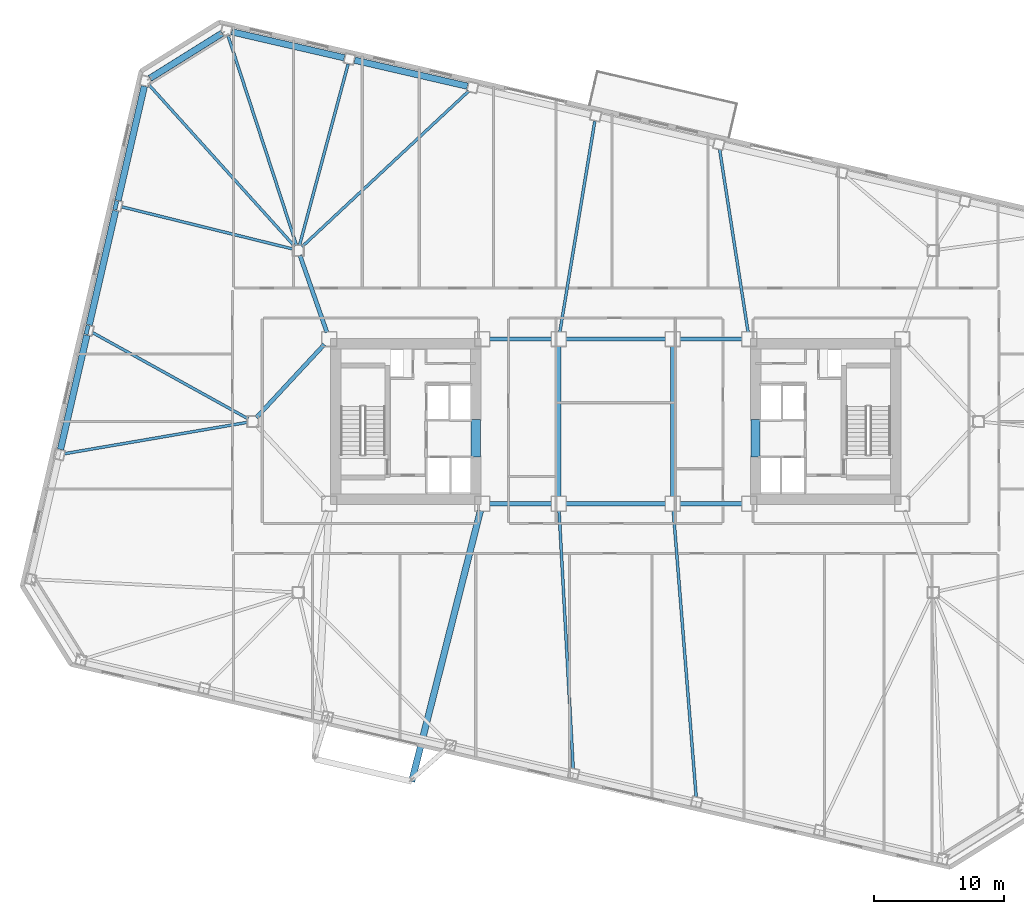
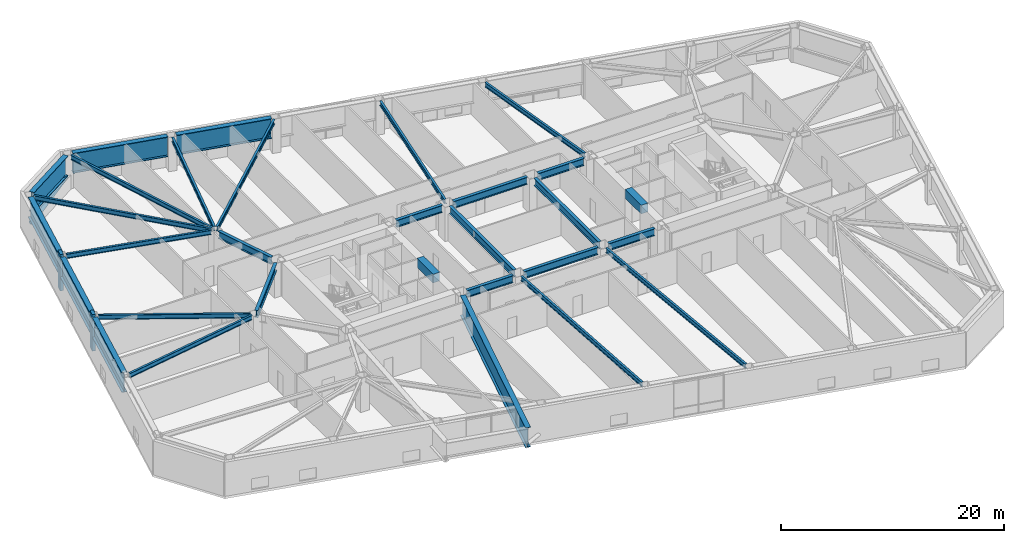
# One storey, part 5 of 20: 30 beams, 3 members.
"""IFC4 building model written with IfcOpenShell, lengths in metres."""

import ifcopenshell
import ifcopenshell.guid

model = None  # the IFC model being written
_history = None  # IfcOwnerHistory: only IFC2X3 demands one
_inside = {}  # id of a spatial element -> (the spatial element, [elements in it])
_under = {}  # id of a project, library or spatial element -> (it, [spatial elements below it])
_declared = {}  # id of a project -> (the project, [libraries it declares])
_typed = {}  # id of a type object -> (the type object, [elements of that type])
_made_of = {}  # id of a material, layer set ... -> (it, [elements and type objects made of it])


def new_model(schema):
    """Start an empty IFC model of exactly this schema.

    Asked for "IFC4X3", IfcOpenShell would pick the latest addendum, in which some entities
    have other attributes; the version numbers below select the first issue.
    IFC2X3 requires an IfcOwnerHistory on every rooted entity: one is made here for all.
    """
    global model, _history
    if schema == "IFC4X3":
        model = ifcopenshell.file(schema_version=(4, 3, 0, 0))
    else:
        model = ifcopenshell.file(schema=schema)
    _inside.clear()
    _under.clear()
    _declared.clear()
    _typed.clear()
    _made_of.clear()
    _history = None
    if model.schema == "IFC2X3":
        org = make("IfcOrganization", Name="unknown")
        user = make(
            "IfcPersonAndOrganization",
            ThePerson=make("IfcPerson", FamilyName="unknown"),
            TheOrganization=org,
        )
        app = make(
            "IfcApplication",
            ApplicationDeveloper=org,
            Version="unknown",
            ApplicationFullName="unknown",
            ApplicationIdentifier="unknown",
        )
        _history = make(
            "IfcOwnerHistory",
            OwningUser=user,
            OwningApplication=app,
            ChangeAction="ADDED",
            CreationDate=0,
        )
    return model


def make(cls, **values):
    """One entity of the class cls with the attributes given. An attribute that is None is left unset."""
    return model.create_entity(
        cls, **{name: value for name, value in values.items() if value is not None}
    )


def rooted(cls, **values):
    """An entity with a GlobalId (a new one), such as an element, a storey or a relation."""
    return make(cls, GlobalId=ifcopenshell.guid.new(), OwnerHistory=_history, **values)


def si_unit(unit_type, name, prefix=None):
    """IfcSIUnit, for example si_unit("LENGTHUNIT", "METRE", prefix="MILLI")."""
    return make("IfcSIUnit", UnitType=unit_type, Prefix=prefix, Name=name)


def assignment(units):
    """IfcUnitAssignment: the units of a project."""
    return None if units is None else make("IfcUnitAssignment", Units=units)


def point(xyz):
    """IfcCartesianPoint."""
    return None if xyz is None else make("IfcCartesianPoint", Coordinates=xyz)


def direction(xyz):
    """IfcDirection."""
    return None if xyz is None else make("IfcDirection", DirectionRatios=xyz)


def frame(location, z_axis=None, x_axis=None):
    """IfcAxis2Placement3D, a coordinate frame: its origin and axes. An axis left out is left unset."""
    return make(
        "IfcAxis2Placement3D",
        Location=point(location),
        Axis=direction(z_axis),
        RefDirection=direction(x_axis),
    )


def frame_2d(location, x_axis=None):
    """IfcAxis2Placement2D, a coordinate frame in the plane: its origin and x axis."""
    return make(
        "IfcAxis2Placement2D", Location=point(location), RefDirection=direction(x_axis)
    )


def origin():
    """The frame at (0, 0, 0) with its axes left unset."""
    return frame((0.0, 0.0, 0.0))


def origin_2d():
    """The frame at (0, 0) in the plane with its x axis left unset."""
    return frame_2d((0.0, 0.0))


def place(relative_to, where):
    """IfcLocalPlacement: puts the frame where relative to a parent placement (None: the world)."""
    return make(
        "IfcLocalPlacement", PlacementRelTo=relative_to, RelativePlacement=where
    )


def context(
    kind, dimensions, precision=None, world=None, true_north=None, identifier=None
):
    """IfcGeometricRepresentationContext, for example the 3D "Model" context."""
    return make(
        "IfcGeometricRepresentationContext",
        ContextIdentifier=identifier,
        ContextType=kind,
        CoordinateSpaceDimension=dimensions,
        Precision=precision,
        WorldCoordinateSystem=world,
        TrueNorth=true_north,
    )


def subcontext(parent, identifier, kind, view, scale=None):
    """IfcGeometricRepresentationSubContext, for example "Body" below "Model"."""
    return make(
        "IfcGeometricRepresentationSubContext",
        ContextIdentifier=identifier,
        ContextType=kind,
        ParentContext=parent,
        TargetScale=scale,
        TargetView=view,
    )


def project(units=None, contexts=None):
    """IfcProject with its units and contexts."""
    return rooted(
        "IfcProject",
        Name="project",
        RepresentationContexts=contexts,
        UnitsInContext=assignment(units),
    )


def spatial(cls, under=None, at=None, **own):
    """A site, building, storey or space (cls), placed at a placement, below another one or the project."""
    s = rooted(cls, ObjectPlacement=at, **own)
    if under is not None:
        _under.setdefault(under.id(), (under, []))[1].append(s)
    return s


def profile(cls, at=None, kind="AREA", **sizes):
    """A parametric profile (cls). Its sizes go by their IFC names, for example OverallWidth=200.0."""
    return make(cls, ProfileType=kind, Position=at, **sizes)


def rectangle(**sizes):
    """IfcRectangleProfileDef."""
    return profile("IfcRectangleProfileDef", **sizes)


def hollow_circle(**sizes):
    """IfcCircleHollowProfileDef."""
    return profile("IfcCircleHollowProfileDef", **sizes)


def i_section(**sizes):
    """IfcIShapeProfileDef."""
    return profile("IfcIShapeProfileDef", **sizes)


def extrude(swept, where, along, depth):
    """IfcExtrudedAreaSolid: the profile swept, set in the frame where, extruded along a direction by depth."""
    return make(
        "IfcExtrudedAreaSolid",
        SweptArea=swept,
        Position=where,
        ExtrudedDirection=direction(along),
        Depth=depth,
    )


def shape(context_of_items, identifier, shape_type, items):
    """IfcShapeRepresentation: the items that make up one representation, for example the "Body"."""
    return make(
        "IfcShapeRepresentation",
        ContextOfItems=context_of_items,
        RepresentationIdentifier=identifier,
        RepresentationType=shape_type,
        Items=items,
    )


def material(Name=None, Category=None):
    """IfcMaterial."""
    return make("IfcMaterial", Name=Name, Category=Category)


def material_profile(
    of_material, cross_section, Name=None, Category=None, Priority=None
):
    """IfcMaterialProfile: a cross section and its material."""
    return make(
        "IfcMaterialProfile",
        Name=Name,
        Material=of_material,
        Profile=cross_section,
        Priority=Priority,
        Category=Category,
    )


def profile_set(profiles, Name=None, composite=None):
    """IfcMaterialProfileSet."""
    return make(
        "IfcMaterialProfileSet",
        Name=Name,
        MaterialProfiles=profiles,
        CompositeProfile=composite,
    )


def made_of(thing, what):
    """Note that an element or type object is made of a material, layer set ...; save() writes the relation."""
    if what is not None:
        _made_of.setdefault(what.id(), (what, []))[1].append(thing)
    return thing


def type_object(cls, material=None, **own):
    """A type object (cls), such as IfcWallType, which elements share."""
    return made_of(rooted(cls, **own), material)


def element(
    cls,
    number,
    at=None,
    inside=None,
    cuts=None,
    type_object=None,
    material=None,
    context=None,
    identifier="Body",
    shape_type=None,
    held_by="IfcProductDefinitionShape",
    body=None,
    shapes=None,
    **own,
):
    """One element of the class cls, such as IfcWall. Its Tag is "e" and its number.

    at: its placement. inside: the storey or other place that contains it. cuts: it is an
    opening in that element (IfcRelVoidsElement). A single representation is given by context,
    identifier, shape_type and body (its items); several are given by shapes. held_by: the class
    of the entity that holds the representations. save() writes the other relations.
    """
    e = rooted(cls, Tag="e%d" % number, ObjectPlacement=at, **own)
    if body is not None:
        shapes = [shape(context, identifier, shape_type, body)]
    if shapes is not None:
        e.Representation = make(held_by, Representations=shapes)
    if inside is not None:
        _inside.setdefault(inside.id(), (inside, []))[1].append(e)
    if cuts is not None:
        rooted(
            "IfcRelVoidsElement", RelatingBuildingElement=cuts, RelatedOpeningElement=e
        )
    if type_object is not None:
        _typed.setdefault(type_object.id(), (type_object, []))[1].append(e)
    return made_of(e, material)


def aggregate(whole, parts):
    """IfcRelAggregates: a whole, such as a stair, and the parts it consists of."""
    return rooted("IfcRelAggregates", RelatingObject=whole, RelatedObjects=parts)


def save(model, path):
    """Write the relations noted so far, then the file.

    IfcRelAggregates (storeys below a building ...), IfcRelContainedInSpatialStructure (elements
    in a storey), IfcRelDefinesByType, IfcRelAssociatesMaterial and IfcRelDeclares: one each for
    every whole, place, type object, material and project.
    """
    for whole, parts in _under.values():
        aggregate(whole, parts)
    for where, things in _inside.values():
        rooted(
            "IfcRelContainedInSpatialStructure",
            RelatedElements=things,
            RelatingStructure=where,
        )
    for kind, things in _typed.values():
        rooted("IfcRelDefinesByType", RelatedObjects=things, RelatingType=kind)
    for what, things in _made_of.values():
        rooted("IfcRelAssociatesMaterial", RelatedObjects=things, RelatingMaterial=what)
    for by, libraries in _declared.values():
        rooted("IfcRelDeclares", RelatingContext=by, RelatedDefinitions=libraries)
    model.write(path)


model = new_model("IFC4")

# Units and contexts
model_context = context("Model", 3, precision=1e-05, world=origin(), true_north=direction((0.0, 1.0)))
body_context = subcontext(model_context, "Body", "Model", "MODEL_VIEW")
ifc_project = project(units=[si_unit("LENGTHUNIT", "METRE"), si_unit("AREAUNIT", "SQUARE_METRE"), si_unit("VOLUMEUNIT", "CUBIC_METRE"), si_unit("PLANEANGLEUNIT", "RADIAN"), si_unit("MASSUNIT", "GRAM", prefix="KILO")], contexts=[model_context])

# Site, building, storey
site_placement = place(None, origin())
site = spatial("IfcSite", under=ifc_project, at=site_placement, CompositionType="ELEMENT")
building_placement = place(site_placement, origin())
building = spatial("IfcBuilding", under=site, at=building_placement, Name="Tavrogorsk Clinical Tower", CompositionType="ELEMENT")
storey_placement = place(building_placement, frame((0.0, 0.0, 39.39990234375)))
storey = spatial("IfcBuildingStorey", under=building, at=storey_placement, Name="L07", CompositionType="ELEMENT", Elevation=39.39990234375)

# Beams
ifc_material_1 = material(Name="Concrete B80", Category="concrete")
ifc_material_profile_1 = material_profile(ifc_material_1, rectangle(XDim=0.699951171875, YDim=0.949951171875, at=origin_2d()), Name="RC-CB-700x950")
ifc_profile_set_1 = profile_set([ifc_material_profile_1], Name="Concrete B80")
beam_type_1 = type_object("IfcBeamType", Name="CouplingBeam_RC700x950", PredefinedType="LINTEL", material=ifc_profile_set_1)
for number, where, z_axis, x_axis, name in (
    (1, (-10.800048828125, -2.75, 3.26513671875), (0.0, 1.0, 0.0), (-1.0, 0.0, 0.0), "L07 Core West Coupling Beam"),
    (2, (10.800048828125, -2.75, 3.26513671875), (0.0, 1.0, 0.0), (-1.0, 0.0, 0.0), "L07 Core East Coupling Beam"),
):
    element("IfcBeam", number, at=place(storey_placement, frame(where, z_axis=z_axis, x_axis=x_axis)), inside=storey, type_object=beam_type_1, Name=name, PredefinedType="LINTEL", context=body_context, shape_type="SweptSolid", body=[
        extrude(rectangle(XDim=0.699951171875, YDim=0.949951171875, at=origin_2d()), origin(), (0.0, 0.0, 1.0), 2.89990234375),
    ])

# Member
ifc_material_2 = material(Name="Structural steel S440", Category="steel")
ifc_material_profile_2 = material_profile(ifc_material_2, hollow_circle(Radius=0.25390625, WallThickness=0.02001953125, at=origin_2d()), Name="CHS-508x20")
ifc_profile_set_2 = profile_set([ifc_material_profile_2], Name="Structural steel S440")
member_type_1 = type_object("IfcMemberType", Name="ExoBrace_CHS508", PredefinedType="BRACE", material=ifc_profile_set_2)
member_placement = place(storey_placement, frame((-35.9345703125, 26.47314453125, 0.365234375), z_axis=(0.837159026748, 0.523104776539, 0.159769073029), x_axis=(-0.5299118025, 0.848052758719, 0.0)))
element("IfcMember", 3, at=member_placement, inside=storey, type_object=member_type_1, Name="L07 Corner Exoskeleton Brace N8-W1", PredefinedType="BRACE", context=body_context, shape_type="SweptSolid", body=[
    extrude(hollow_circle(Radius=0.25390625, WallThickness=0.02001953125, at=origin_2d()), origin(), (0.0, 0.0, 1.0), 6.63330078125),
])

# Beams
ifc_material_3 = material(Name="Structural steel S355", Category="steel")
ifc_material_profile_3 = material_profile(ifc_material_3, i_section(OverallWidth=0.219970703125, OverallDepth=0.5, WebThickness=0.012939453125, FlangeThickness=0.02001953125, at=origin_2d()), Name="B-500x220x13x20")
ifc_profile_set_3 = profile_set([ifc_material_profile_3], Name="Structural steel S355")
beam_type_2 = type_object("IfcBeamType", Name="FloorBeam_B500", PredefinedType="BEAM", material=ifc_profile_set_3)
beam_1_placement = place(storey_placement, frame((-4.369384765625, -6.9091796875, 3.489990234375), z_axis=(0.054826938013, -0.998495872234, 0.0), x_axis=(0.998495872234, 0.054826938013, 0.0)))
element("IfcBeam", 4, at=beam_1_placement, inside=storey, type_object=beam_type_2, Name="L07 Radial Floor Beam S5", PredefinedType="BEAM", context=body_context, shape_type="SweptSolid", body=[
    extrude(i_section(OverallWidth=0.219970703125, OverallDepth=0.5, WebThickness=0.012939453125, FlangeThickness=0.02001953125, at=origin_2d()), origin(), (0.0, 0.0, 1.0), 19.891357421875),
])
beam_2_placement = place(storey_placement, frame((4.444580078125, -6.908203125, 3.489990234375), z_axis=(0.079775043579, -0.996812892384, 0.0), x_axis=(0.996812892384, 0.079775043579, 0.0)))
element("IfcBeam", 5, at=beam_2_placement, inside=storey, type_object=beam_type_2, Name="L07 Radial Floor Beam S6", PredefinedType="BEAM", context=body_context, shape_type="SweptSolid", body=[
    extrude(i_section(OverallWidth=0.219970703125, OverallDepth=0.5, WebThickness=0.012939453125, FlangeThickness=0.02001953125, at=origin_2d()), origin(), (0.0, 0.0, 1.0), 22.12646484375),
])
beam_3_placement = place(storey_placement, frame((10.213623046875, 6.9033203125, 3.489990234375), z_axis=(-0.154089917001, 0.988056829073, 0.0), x_axis=(-0.988056829073, -0.154089917001, 0.0)))
element("IfcBeam", 6, at=beam_3_placement, inside=storey, type_object=beam_type_2, Name="L07 Radial Floor Beam N4", PredefinedType="BEAM", context=body_context, shape_type="SweptSolid", body=[
    extrude(i_section(OverallWidth=0.219970703125, OverallDepth=0.5, WebThickness=0.012939453125, FlangeThickness=0.02001953125, at=origin_2d()), origin(), (0.0, 0.0, 1.0), 14.24853515625),
])
beam_4_placement = place(storey_placement, frame((-4.308349609375, 6.90234375, 3.489990234375), z_axis=(0.163563683006, 0.986532777763, 0.0), x_axis=(-0.986532777763, 0.163563683006, 0.0)))
element("IfcBeam", 7, at=beam_4_placement, inside=storey, type_object=beam_type_2, Name="L07 Radial Floor Beam N5", PredefinedType="BEAM", context=body_context, shape_type="SweptSolid", body=[
    extrude(i_section(OverallWidth=0.219970703125, OverallDepth=0.5, WebThickness=0.012939453125, FlangeThickness=0.02001953125, at=origin_2d()), origin(), (0.0, 0.0, 1.0), 16.4951171875),
])
beam_5_placement = place(storey_placement, frame((-24.200439453125, 13.47998046875, 3.489990234375), z_axis=(0.730781163302, 0.682611816015, 0.0), x_axis=(-0.682611816015, 0.730781163302, 0.0)))
element("IfcBeam", 8, at=beam_5_placement, inside=storey, type_object=beam_type_2, Name="L07 Radial Floor Beam N6", PredefinedType="BEAM", context=body_context, shape_type="SweptSolid", body=[
    extrude(i_section(OverallWidth=0.219970703125, OverallDepth=0.5, WebThickness=0.012939453125, FlangeThickness=0.02001953125, at=origin_2d()), origin(), (0.0, 0.0, 1.0), 17.597412109375),
])
beam_6_placement = place(storey_placement, frame((-24.393798828125, 13.595947265625, 3.489990234375), z_axis=(0.25900262632, 0.965876617151, 0.0), x_axis=(-0.965876617151, 0.25900262632, 0.0)))
element("IfcBeam", 9, at=beam_6_placement, inside=storey, type_object=beam_type_2, Name="L07 Radial Floor Beam N7", PredefinedType="BEAM", context=body_context, shape_type="SweptSolid", body=[
    extrude(i_section(OverallWidth=0.219970703125, OverallDepth=0.5, WebThickness=0.012939453125, FlangeThickness=0.02001953125, at=origin_2d()), origin(), (0.0, 0.0, 1.0), 14.46728515625),
])
beam_7_placement = place(storey_placement, frame((-24.62744140625, 13.58984375, 3.489990234375), z_axis=(-0.310546210819, 0.950558283824, 0.0), x_axis=(-0.950558283824, -0.310546210819, 0.0)))
element("IfcBeam", 10, at=beam_7_placement, inside=storey, type_object=beam_type_2, Name="L07 Radial Floor Beam N8", PredefinedType="BEAM", context=body_context, shape_type="SweptSolid", body=[
    extrude(i_section(OverallWidth=0.219970703125, OverallDepth=0.5, WebThickness=0.012939453125, FlangeThickness=0.02001953125, at=origin_2d()), origin(), (0.0, 0.0, 1.0), 17.0205078125),
])
beam_8_placement = place(storey_placement, frame((-24.774658203125, 13.50439453125, 3.489990234375), z_axis=(-0.669660294237, 0.742667550337, 0.0), x_axis=(-0.742667550337, -0.669660294237, 0.0)))
element("IfcBeam", 11, at=beam_8_placement, inside=storey, type_object=beam_type_2, Name="L07 Radial Floor Beam W1", PredefinedType="BEAM", context=body_context, shape_type="SweptSolid", body=[
    extrude(i_section(OverallWidth=0.219970703125, OverallDepth=0.5, WebThickness=0.012939453125, FlangeThickness=0.02001953125, at=origin_2d()), origin(), (0.0, 0.0, 1.0), 16.76708984375),
])
beam_9_placement = place(storey_placement, frame((-24.89794921875, 13.298095703125, 3.489990234375), z_axis=(-0.970889910259, 0.23952616174, 0.0), x_axis=(-0.23952616174, -0.970889910259, 0.0)))
element("IfcBeam", 12, at=beam_9_placement, inside=storey, type_object=beam_type_2, Name="L07 Radial Floor Beam W2", PredefinedType="BEAM", context=body_context, shape_type="SweptSolid", body=[
    extrude(i_section(OverallWidth=0.219970703125, OverallDepth=0.5, WebThickness=0.012939453125, FlangeThickness=0.02001953125, at=origin_2d()), origin(), (0.0, 0.0, 1.0), 13.595947265625),
])
beam_10_placement = place(storey_placement, frame((-28.358642578125, 0.19873046875, 3.489990234375), z_axis=(-0.874654711976, 0.484746464472, 0.0), x_axis=(-0.484746464472, -0.874654711976, 0.0)))
element("IfcBeam", 13, at=beam_10_placement, inside=storey, type_object=beam_type_2, Name="L07 Radial Floor Beam W3", PredefinedType="BEAM", context=body_context, shape_type="SweptSolid", body=[
    extrude(i_section(OverallWidth=0.219970703125, OverallDepth=0.5, WebThickness=0.012939453125, FlangeThickness=0.02001953125, at=origin_2d()), origin(), (0.0, 0.0, 1.0), 13.7158203125),
])
beam_11_placement = place(storey_placement, frame((-28.404052734375, -0.0693359375, 3.489990234375), z_axis=(-0.985592408786, -0.169137824698, 0.0), x_axis=(0.169137824698, -0.985592408786, 0.0)))
element("IfcBeam", 14, at=beam_11_placement, inside=storey, type_object=beam_type_2, Name="L07 Radial Floor Beam W4", PredefinedType="BEAM", context=body_context, shape_type="SweptSolid", body=[
    extrude(i_section(OverallWidth=0.219970703125, OverallDepth=0.5, WebThickness=0.012939453125, FlangeThickness=0.02001953125, at=origin_2d()), origin(), (0.0, 0.0, 1.0), 14.33056640625),
])

# Members
ifc_material_4 = material(Name="Precast concrete B45 with limestone cladding", Category="masonry")
ifc_material_profile_4 = material_profile(ifc_material_4, rectangle(XDim=0.320068359375, YDim=0.719970703125, at=origin_2d()), Name="LIMESTONE-FIN-320x720")
ifc_profile_set_4 = profile_set([ifc_material_profile_4], Name="Precast concrete B45 with limestone cladding")
member_type_2 = type_object("IfcMemberType", Name="LimestonePleatFin_320x720", PredefinedType="USERDEFINED", material=ifc_profile_set_4)
for number, where, z_axis, x_axis, name in (
    (15, (-38.572265625, 16.67041015625, 0.0), (0.0, 0.0, 1.0), (0.974370064785, -0.224951054344, 0.0), "L07 W Pleated Stone Fin 1"),
    (16, (-40.7900390625, 7.06298828125, 0.0), (0.0, 0.0, 1.0), (0.974370064785, -0.224951054344, 0.0), "L07 W Pleated Stone Fin 2"),
):
    element("IfcMember", number, at=place(storey_placement, frame(where, z_axis=z_axis, x_axis=x_axis)), inside=storey, type_object=member_type_2, Name=name, ObjectType="FIN", PredefinedType="USERDEFINED", context=body_context, shape_type="SweptSolid", body=[
        extrude(rectangle(XDim=0.320068359375, YDim=0.719970703125, at=origin_2d()), origin(), (0.0, 0.0, 1.0), 4.0),
    ])

# Beams
ifc_material_5 = material(Name="Structural steel S390", Category="steel")
ifc_material_profile_5 = material_profile(ifc_material_5, i_section(OverallWidth=0.320068359375, OverallDepth=0.800048828125, WebThickness=0.02001953125, FlangeThickness=0.033935546875, at=origin_2d()), Name="B-800x320x20x34")
ifc_profile_set_5 = profile_set([ifc_material_profile_5], Name="Structural steel S390")
beam_type_3 = type_object("IfcBeamType", Name="PrimaryGirder_B800", PredefinedType="USERDEFINED", material=ifc_profile_set_5)
for number, where, z_axis, x_axis, name in (
    (17, (-9.739990234375, -6.35009765625, 3.340087890625), (1.0, 0.0, 0.0), (0.0, 1.0, 0.0), "L07 Primary Spine Girder MG-01"),
    (18, (-9.739990234375, 6.35009765625, 3.340087890625), (1.0, 0.0, 0.0), (0.0, 1.0, 0.0), "L07 Primary Spine Girder MG-02"),
):
    element("IfcBeam", number, at=place(storey_placement, frame(where, z_axis=z_axis, x_axis=x_axis)), inside=storey, type_object=beam_type_3, Name=name, ObjectType="GIRDER", PredefinedType="USERDEFINED", context=body_context, shape_type="SweptSolid", body=[
        extrude(i_section(OverallWidth=0.320068359375, OverallDepth=0.800048828125, WebThickness=0.02001953125, FlangeThickness=0.033935546875, at=origin_2d()), origin(), (0.0, 0.0, 1.0), 4.780029296875),
    ])
for number, where, z_axis, x_axis, name in (
    (19, (-3.840087890625, -6.35009765625, 3.340087890625), (1.0, 0.0, 0.0), (0.0, 1.0, 0.0), "L07 Primary Spine Girder MG-03"),
    (20, (-3.840087890625, 6.35009765625, 3.340087890625), (1.0, 0.0, 0.0), (0.0, 1.0, 0.0), "L07 Primary Spine Girder MG-04"),
):
    element("IfcBeam", number, at=place(storey_placement, frame(where, z_axis=z_axis, x_axis=x_axis)), inside=storey, type_object=beam_type_3, Name=name, ObjectType="GIRDER", PredefinedType="USERDEFINED", context=body_context, shape_type="SweptSolid", body=[
        extrude(i_section(OverallWidth=0.320068359375, OverallDepth=0.800048828125, WebThickness=0.02001953125, FlangeThickness=0.033935546875, at=origin_2d()), origin(), (0.0, 0.0, 1.0), 7.68017578125),
    ])
for number, where, z_axis, x_axis, name in (
    (21, (4.9599609375, -6.35009765625, 3.340087890625), (1.0, 0.0, 0.0), (0.0, 1.0, 0.0), "L07 Primary Spine Girder MG-05"),
    (22, (4.9599609375, 6.35009765625, 3.340087890625), (1.0, 0.0, 0.0), (0.0, 1.0, 0.0), "L07 Primary Spine Girder MG-06"),
):
    element("IfcBeam", number, at=place(storey_placement, frame(where, z_axis=z_axis, x_axis=x_axis)), inside=storey, type_object=beam_type_3, Name=name, ObjectType="GIRDER", PredefinedType="USERDEFINED", context=body_context, shape_type="SweptSolid", body=[
        extrude(i_section(OverallWidth=0.320068359375, OverallDepth=0.800048828125, WebThickness=0.02001953125, FlangeThickness=0.033935546875, at=origin_2d()), origin(), (0.0, 0.0, 1.0), 4.780029296875),
    ])
for number, where, z_axis, x_axis, name in (
    (23, (-4.39990234375, -5.7900390625, 3.340087890625), (0.0, 1.0, 0.0), (-1.0, 0.0, 0.0), "L07 Primary Spine Girder MG-07"),
    (24, (4.39990234375, -5.7900390625, 3.340087890625), (0.0, 1.0, 0.0), (-1.0, 0.0, 0.0), "L07 Primary Spine Girder MG-08"),
):
    element("IfcBeam", number, at=place(storey_placement, frame(where, z_axis=z_axis, x_axis=x_axis)), inside=storey, type_object=beam_type_3, Name=name, ObjectType="GIRDER", PredefinedType="USERDEFINED", context=body_context, shape_type="SweptSolid", body=[
        extrude(i_section(OverallWidth=0.320068359375, OverallDepth=0.800048828125, WebThickness=0.02001953125, FlangeThickness=0.033935546875, at=origin_2d()), origin(), (0.0, 0.0, 1.0), 11.580078125),
    ])
beam_12_placement = place(storey_placement, frame((-24.364501953125, 12.81298828125, 3.340087890625), z_axis=(0.330668611543, -0.943746930771, 0.0), x_axis=(0.943746930771, 0.330668611543, 0.0)))
element("IfcBeam", 25, at=beam_12_placement, inside=storey, type_object=beam_type_3, Name="L07 Spine Link Girder OPG-3", ObjectType="GIRDER", PredefinedType="USERDEFINED", context=body_context, shape_type="SweptSolid", body=[
    extrude(i_section(OverallWidth=0.320068359375, OverallDepth=0.800048828125, WebThickness=0.02001953125, FlangeThickness=0.033935546875, at=origin_2d()), origin(), (0.0, 0.0, 1.0), 6.288330078125),
])
beam_13_placement = place(storey_placement, frame((-27.720947265625, 0.30029296875, 3.340087890625), z_axis=(0.680671250221, 0.732589004233, 0.0), x_axis=(-0.732589004233, 0.680671250221, 0.0)))
element("IfcBeam", 26, at=beam_13_placement, inside=storey, type_object=beam_type_3, Name="L07 Spine Link Girder OPG-6", ObjectType="GIRDER", PredefinedType="USERDEFINED", context=body_context, shape_type="SweptSolid", body=[
    extrude(i_section(OverallWidth=0.320068359375, OverallDepth=0.800048828125, WebThickness=0.02001953125, FlangeThickness=0.033935546875, at=origin_2d()), origin(), (0.0, 0.0, 1.0), 7.697998046875),
])
ifc_material_6 = material(Name="Structural steel S440", Category="steel")
ifc_material_profile_6 = material_profile(ifc_material_6, i_section(OverallWidth=0.5, OverallDepth=2.199951171875, WebThickness=0.035888671875, FlangeThickness=0.054931640625, at=origin_2d()), Name="DK-2200x500x36x55")
ifc_profile_set_6 = profile_set([ifc_material_profile_6], Name="Structural steel S440")
beam_type_4 = type_object("IfcBeamType", Name="TransferGirder_DK2200", PredefinedType="USERDEFINED", material=ifc_profile_set_6)
for number, where, z_axis, x_axis, name in (
    (27, (-11.43994140625, 25.862548828125, 2.64013671875), (-0.974372766602, 0.224939351168, 0.0), (-0.224939351168, -0.974372766602, 0.0), "L07 Perimeter Spandrel N6-N7"),
    (28, (-20.9384765625, 28.055419921875, 2.64013671875), (-0.974366775889, 0.224965299645, 0.0), (-0.224965299645, -0.974366775889, 0.0), "L07 Perimeter Spandrel N7-N8"),
):
    element("IfcBeam", number, at=place(storey_placement, frame(where, z_axis=z_axis, x_axis=x_axis)), inside=storey, type_object=beam_type_4, Name=name, ObjectType="GIRDER", PredefinedType="USERDEFINED", context=body_context, shape_type="SweptSolid", body=[
        extrude(i_section(OverallWidth=0.5, OverallDepth=2.199951171875, WebThickness=0.035888671875, FlangeThickness=0.054931640625, at=origin_2d()), origin(), (0.0, 0.0, 1.0), 8.9326171875),
    ])
beam_14_placement = place(storey_placement, frame((-30.3857421875, 29.9404296875, 2.64013671875), z_axis=(-0.848044454239, -0.529925092475, 0.0), x_axis=(0.529925092475, -0.848044454239, 0.0)))
element("IfcBeam", 29, at=beam_14_placement, inside=storey, type_object=beam_type_4, Name="L07 Perimeter Spandrel N8-W1", ObjectType="GIRDER", PredefinedType="USERDEFINED", context=body_context, shape_type="SweptSolid", body=[
    extrude(i_section(OverallWidth=0.5, OverallDepth=2.199951171875, WebThickness=0.035888671875, FlangeThickness=0.054931640625, at=origin_2d()), origin(), (0.0, 0.0, 1.0), 6.537841796875),
])
beam_15_placement = place(storey_placement, frame((-36.367919921875, 25.862060546875, 2.64013671875), z_axis=(-0.224952169462, -0.974369807339, 0.0), x_axis=(0.974369807339, -0.224952169462, 0.0)))
element("IfcBeam", 30, at=beam_15_placement, inside=storey, type_object=beam_type_4, Name="L07 Perimeter Spandrel W1-W2", ObjectType="GIRDER", PredefinedType="USERDEFINED", context=body_context, shape_type="SweptSolid", body=[
    extrude(i_section(OverallWidth=0.5, OverallDepth=2.199951171875, WebThickness=0.035888671875, FlangeThickness=0.054931640625, at=origin_2d()), origin(), (0.0, 0.0, 1.0), 9.043701171875),
])
beam_16_placement = place(storey_placement, frame((-38.5859375, 16.2548828125, 2.64013671875), z_axis=(-0.224946252597, -0.974371173343, 0.0), x_axis=(0.974371173343, -0.224946252597, 0.0)))
element("IfcBeam", 31, at=beam_16_placement, inside=storey, type_object=beam_type_4, Name="L07 Perimeter Spandrel W2-W3", ObjectType="GIRDER", PredefinedType="USERDEFINED", context=body_context, shape_type="SweptSolid", body=[
    extrude(i_section(OverallWidth=0.5, OverallDepth=2.199951171875, WebThickness=0.035888671875, FlangeThickness=0.054931640625, at=origin_2d()), origin(), (0.0, 0.0, 1.0), 9.0439453125),
])
beam_17_placement = place(storey_placement, frame((-40.803955078125, 6.6474609375, 2.64013671875), z_axis=(-0.224952169462, -0.974369807339, 0.0), x_axis=(0.974369807339, -0.224952169462, 0.0)))
element("IfcBeam", 32, at=beam_17_placement, inside=storey, type_object=beam_type_4, Name="L07 Perimeter Spandrel W3-W4", ObjectType="GIRDER", PredefinedType="USERDEFINED", context=body_context, shape_type="SweptSolid", body=[
    extrude(i_section(OverallWidth=0.5, OverallDepth=2.199951171875, WebThickness=0.035888671875, FlangeThickness=0.054931640625, at=origin_2d()), origin(), (0.0, 0.0, 1.0), 9.043701171875),
])
beam_18_placement = place(storey_placement, frame((-10.437744140625, -6.892822265625, 2.64013671875), z_axis=(-0.246081221325, -0.969249210735, 0.0), x_axis=(0.969249210735, -0.246081221325, 0.0)))
element("IfcBeam", 33, at=beam_18_placement, inside=storey, type_object=beam_type_4, Name="L08 Day-Room Base Transfer Girder DRB-01-R", ObjectType="GIRDER", PredefinedType="USERDEFINED", context=body_context, shape_type="SweptSolid", body=[
    extrude(i_section(OverallWidth=0.5, OverallDepth=2.199951171875, WebThickness=0.035888671875, FlangeThickness=0.054931640625, at=origin_2d()), origin(), (0.0, 0.0, 1.0), 21.5546875),
])

save(model, "model.ifc")
